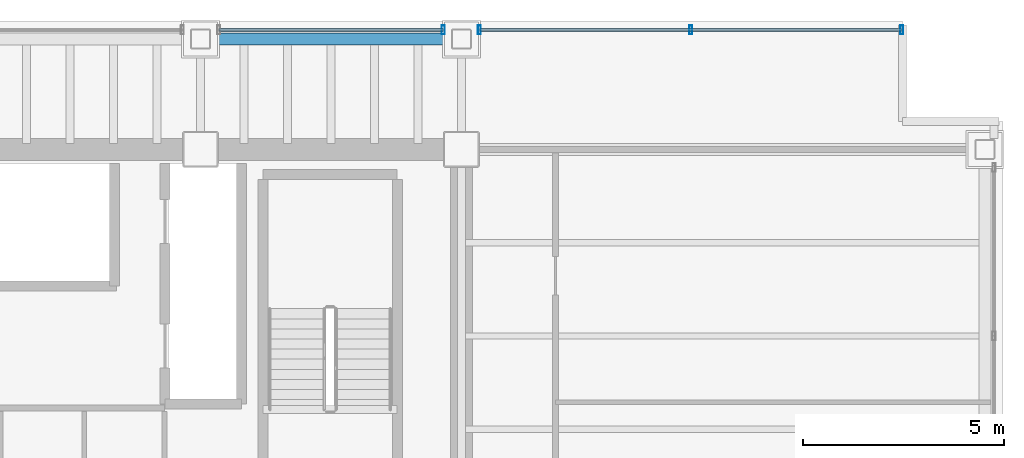
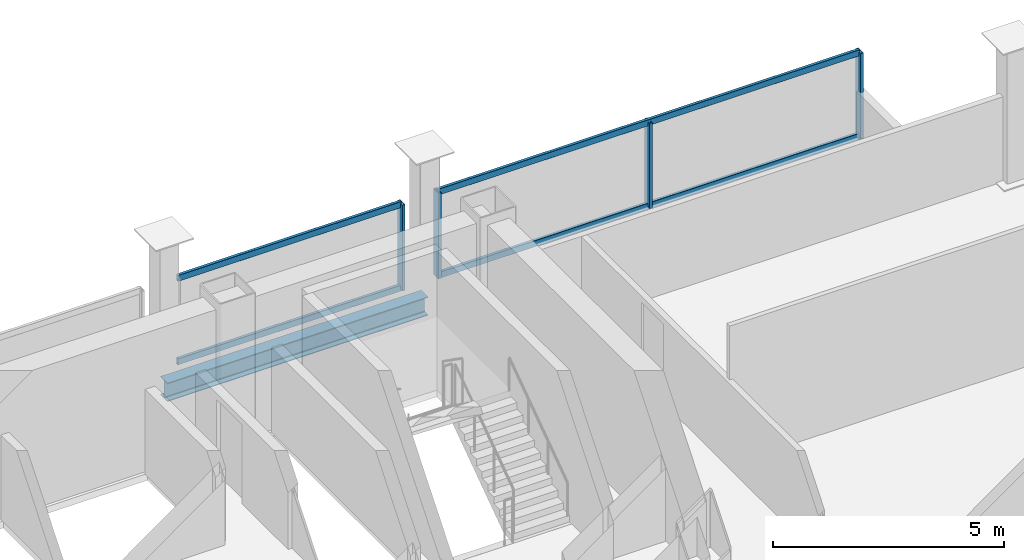
# One storey, part 16 of 21: 8 members, 1 beam, 2 elements without a shape of their own.
"""IFC4 building model written with IfcOpenShell, lengths in metres."""

from ifc_helpers import new_model, si_unit, direction, frame, origin, origin_2d, place, context, subcontext, project, spatial, hollow_rectangle, i_section, extrude, material, material_profile, profile_set, type_object, element, aggregate, save


model = new_model("IFC4")

# Units and contexts
model_context = context("Model", 3, precision=1e-05, world=origin(), true_north=direction((0.0, 1.0)))
body_context = subcontext(model_context, "Body", "Model", "MODEL_VIEW")
ifc_project = project(units=[si_unit("LENGTHUNIT", "METRE"), si_unit("AREAUNIT", "SQUARE_METRE"), si_unit("VOLUMEUNIT", "CUBIC_METRE"), si_unit("PLANEANGLEUNIT", "RADIAN"), si_unit("MASSUNIT", "GRAM", prefix="KILO")], contexts=[model_context])

# Site, building, storey
site_placement = place(None, origin())
site = spatial("IfcSite", under=ifc_project, at=site_placement, CompositionType="ELEMENT")
building_placement = place(site_placement, origin())
building = spatial("IfcBuilding", under=site, at=building_placement, Name="Noeulbin Bourse Tower", CompositionType="ELEMENT")
storey_placement = place(building_placement, frame((0.0, 0.0, 111.0)))
storey = spatial("IfcBuildingStorey", under=building, at=storey_placement, Name="L27", CompositionType="ELEMENT", Elevation=111.0)

# Beam
ifc_material_1 = material(Name="Steel S355", Category="steel")
ifc_material_profile_1 = material_profile(ifc_material_1, i_section(OverallWidth=0.300048828125, OverallDepth=0.488037109375, WebThickness=0.010986328125, FlangeThickness=0.01806640625, FilletRadius=0.02197265625, at=origin_2d()), Name="H-488x300x11x18", Category="LoadBearing")
ifc_profile_set_1 = profile_set([ifc_material_profile_1], Name="Steel S355")
beam_type = type_object("IfcBeamType", Name="BM-SPN-488", PredefinedType="SPANDREL", material=ifc_profile_set_1)
beam_placement = place(storey_placement, frame((37.5, 41.050048828125, -0.424072265625), z_axis=(1.0, 0.0, 0.0), x_axis=(0.0, 1.0, 0.0)))
element("IfcBeam", 1, at=beam_placement, inside=storey, type_object=beam_type, Name="North Spandrel L27-4", PredefinedType="SPANDREL", context=body_context, shape_type="SweptSolid", body=[
    extrude(i_section(OverallWidth=0.300048828125, OverallDepth=0.488037109375, WebThickness=0.010986328125, FlangeThickness=0.01806640625, FilletRadius=0.02197265625, at=origin_2d()), origin(), (0.0, 0.0, 1.0), 6.5),
])

# Curtain wall, member
ifc_material_2 = material(Name="Dark Tinted Triple Glazing", Category="glass")
curtain_wall_type = type_object("IfcCurtainWallType", Name="CW-SYS-3", PredefinedType="NOTDEFINED", material=ifc_material_2)
curtain_wall_1_placement = place(storey_placement, origin())
curtain_wall_1 = element("IfcCurtainWall", 2, at=curtain_wall_1_placement, inside=storey, type_object=curtain_wall_type, Name="Unitised Curtain Wall CW-L27-N-S5", PredefinedType="NOTDEFINED")
ifc_material_3 = material(Name="Anodised Aluminium 6063-T6", Category="aluminium")
ifc_material_profile_2 = material_profile(ifc_material_3, hollow_rectangle(XDim=0.074951171875, YDim=0.219970703125, WallThickness=0.0048828125, InnerFilletRadius=0.00244140625, OuterFilletRadius=0.0048828125, at=origin_2d()), Name="ALU-MULL-75x220x5", Category="LoadBearing")
ifc_profile_set_2 = profile_set([ifc_material_profile_2], Name="Anodised Aluminium 6063-T6")
member_type_1 = type_object("IfcMemberType", Name="CW-SYS-3-MUL", PredefinedType="MULLION", material=ifc_profile_set_2)
member_1_placement = place(storey_placement, frame((43.550048828125, 41.280029296875, -0.02001953125), z_axis=(0.0, 0.0, 1.0), x_axis=(1.0, 0.0, 0.0)))
member_1 = element("IfcMember", 3, at=member_1_placement, type_object=member_type_1, Name="Curtain Wall Mullion CW-L27-N-S5-M01", PredefinedType="MULLION", context=body_context, shape_type="SweptSolid", body=[
    extrude(hollow_rectangle(XDim=0.074951171875, YDim=0.219970703125, WallThickness=0.0048828125, InnerFilletRadius=0.00244140625, OuterFilletRadius=0.0048828125, at=origin_2d()), origin(), (0.0, 0.0, 1.0), 2.260009765625),
])

# Curtain wall, members
curtain_wall_2_placement = place(storey_placement, origin())
curtain_wall_2 = element("IfcCurtainWall", 4, at=curtain_wall_2_placement, inside=storey, type_object=curtain_wall_type, Name="Unitised Curtain Wall CW-L27-N-S6", PredefinedType="NOTDEFINED")
member_2_placement = place(storey_placement, frame((44.449951171875, 41.280029296875, -0.02001953125), z_axis=(0.0, 0.0, 1.0), x_axis=(1.0, 0.0, 0.0)))
member_2 = element("IfcMember", 5, at=member_2_placement, type_object=member_type_1, Name="Curtain Wall Mullion CW-L27-N-S6-M00", PredefinedType="MULLION", context=body_context, shape_type="SweptSolid", body=[
    extrude(hollow_rectangle(XDim=0.074951171875, YDim=0.219970703125, WallThickness=0.0048828125, InnerFilletRadius=0.00244140625, OuterFilletRadius=0.0048828125, at=origin_2d()), origin(), (0.0, 0.0, 1.0), 2.260009765625),
])
member_3_placement = place(storey_placement, frame((49.715087890625, 41.280029296875, -0.02001953125), z_axis=(0.0, 0.0, 1.0), x_axis=(1.0, 0.0, 0.0)))
member_3 = element("IfcMember", 6, at=member_3_placement, type_object=member_type_1, Name="Curtain Wall Mullion CW-L27-N-S6-M01", PredefinedType="MULLION", context=body_context, shape_type="SweptSolid", body=[
    extrude(hollow_rectangle(XDim=0.074951171875, YDim=0.219970703125, WallThickness=0.0048828125, InnerFilletRadius=0.00244140625, OuterFilletRadius=0.0048828125, at=origin_2d()), origin(), (0.0, 0.0, 1.0), 2.260009765625),
])
member_4_placement = place(storey_placement, frame((54.97998046875, 41.280029296875, -0.02001953125), z_axis=(0.0, 0.0, 1.0), x_axis=(1.0, 0.0, 0.0)))
member_4 = element("IfcMember", 7, at=member_4_placement, type_object=member_type_1, Name="Curtain Wall Mullion CW-L27-N-S6-M02", PredefinedType="MULLION", context=body_context, shape_type="SweptSolid", body=[
    extrude(hollow_rectangle(XDim=0.074951171875, YDim=0.219970703125, WallThickness=0.0048828125, InnerFilletRadius=0.00244140625, OuterFilletRadius=0.0048828125, at=origin_2d()), origin(), (0.0, 0.0, 1.0), 2.260009765625),
])

# Member
ifc_material_profile_3 = material_profile(ifc_material_3, hollow_rectangle(XDim=0.074951171875, YDim=0.159912109375, WallThickness=0.0048828125, InnerFilletRadius=0.00244140625, OuterFilletRadius=0.0048828125, at=origin_2d()), Name="ALU-TRAN-75x160x5", Category="LoadBearing")
ifc_profile_set_3 = profile_set([ifc_material_profile_3], Name="Anodised Aluminium 6063-T6")
member_type_2 = type_object("IfcMemberType", Name="CW-SYS-3-TRN", PredefinedType="USERDEFINED", material=ifc_profile_set_3)
member_5_placement = place(storey_placement, frame((37.9599609375, 41.280029296875, 0.010009765625), z_axis=(1.0, 0.0, 0.0), x_axis=(0.0, 1.0, 0.0)))
member_5 = element("IfcMember", 8, at=member_5_placement, type_object=member_type_2, Name="Curtain Wall Transom CW-L27-N-S5-T00", ObjectType="TRANSOM", PredefinedType="USERDEFINED", context=body_context, shape_type="SweptSolid", body=[
    extrude(hollow_rectangle(XDim=0.074951171875, YDim=0.159912109375, WallThickness=0.0048828125, InnerFilletRadius=0.00244140625, OuterFilletRadius=0.0048828125, at=origin_2d()), origin(), (0.0, 0.0, 1.0), 5.580078125),
])

member_6_placement = place(storey_placement, frame((37.9599609375, 41.280029296875, 2.2099609375), z_axis=(1.0, 0.0, 0.0), x_axis=(0.0, 1.0, 0.0)))
member_6 = element("IfcMember", 9, at=member_6_placement, type_object=member_type_2, Name="Curtain Wall Transom CW-L27-N-S5-T01", ObjectType="TRANSOM", PredefinedType="USERDEFINED", context=body_context, shape_type="SweptSolid", body=[
    extrude(hollow_rectangle(XDim=0.074951171875, YDim=0.159912109375, WallThickness=0.0048828125, InnerFilletRadius=0.00244140625, OuterFilletRadius=0.0048828125, at=origin_2d()), origin(), (0.0, 0.0, 1.0), 5.580078125),
])

aggregate(curtain_wall_1, [member_1, member_5, member_6])

member_7_placement = place(storey_placement, frame((44.4599609375, 41.280029296875, 0.010009765625), z_axis=(1.0, 0.0, 0.0), x_axis=(0.0, 1.0, 0.0)))
member_7 = element("IfcMember", 10, at=member_7_placement, type_object=member_type_2, Name="Curtain Wall Transom CW-L27-N-S6-T00", ObjectType="TRANSOM", PredefinedType="USERDEFINED", context=body_context, shape_type="SweptSolid", body=[
    extrude(hollow_rectangle(XDim=0.074951171875, YDim=0.159912109375, WallThickness=0.0048828125, InnerFilletRadius=0.00244140625, OuterFilletRadius=0.0048828125, at=origin_2d()), origin(), (0.0, 0.0, 1.0), 10.510009765625),
])

member_8_placement = place(storey_placement, frame((44.4599609375, 41.280029296875, 2.2099609375), z_axis=(1.0, 0.0, 0.0), x_axis=(0.0, 1.0, 0.0)))
member_8 = element("IfcMember", 11, at=member_8_placement, type_object=member_type_2, Name="Curtain Wall Transom CW-L27-N-S6-T01", ObjectType="TRANSOM", PredefinedType="USERDEFINED", context=body_context, shape_type="SweptSolid", body=[
    extrude(hollow_rectangle(XDim=0.074951171875, YDim=0.159912109375, WallThickness=0.0048828125, InnerFilletRadius=0.00244140625, OuterFilletRadius=0.0048828125, at=origin_2d()), origin(), (0.0, 0.0, 1.0), 10.510009765625),
])

aggregate(curtain_wall_2, [member_2, member_3, member_4, member_7, member_8])

save(model, "model.ifc")
